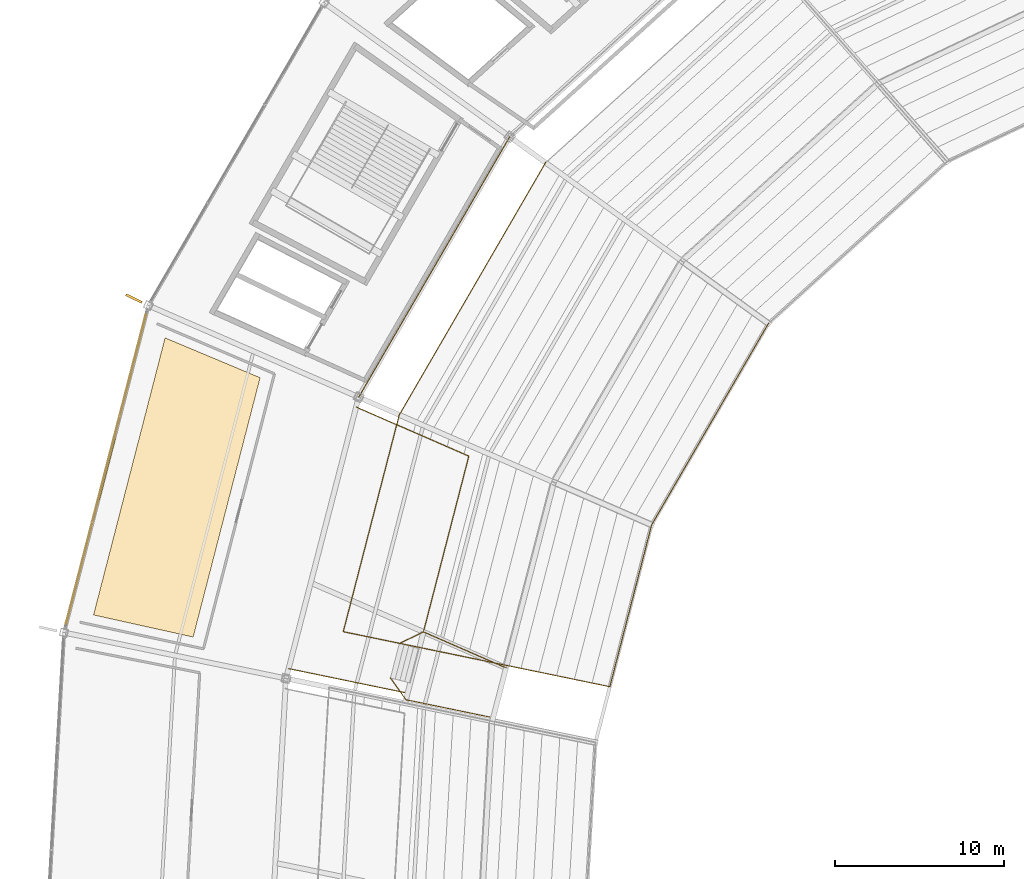
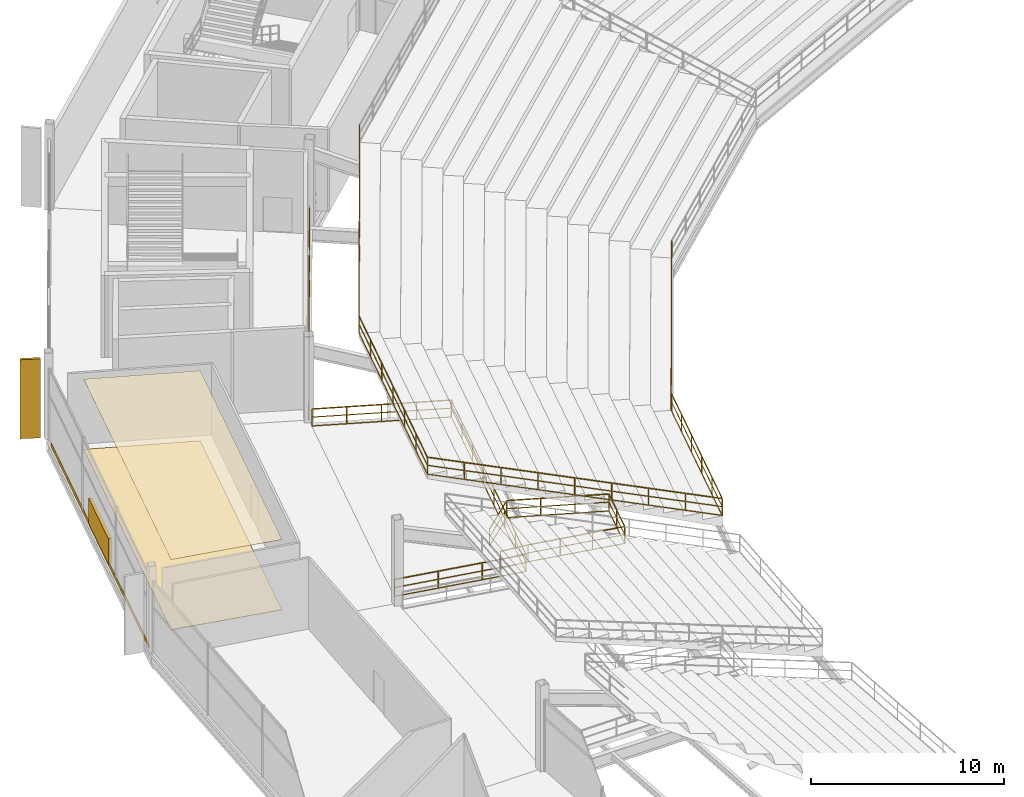
# One storey, part 175 of 186: 8 railings, 3 coverings, 2 shading devices.
"""IFC4 building model written with IfcOpenShell, lengths in metres."""

from ifc_helpers import new_model, si_unit, direction, frame, origin, origin_2d, place, context, subcontext, project, spatial, polyline, rectangle, outline, extrude, material, layer, layer_set, type_object, element, save


model = new_model("IFC4")

# Units and contexts
model_context = context("Model", 3, precision=1e-05, world=origin(), true_north=direction((0.0, 1.0)))
body_context = subcontext(model_context, "Body", "Model", "MODEL_VIEW")
ifc_project = project(units=[si_unit("LENGTHUNIT", "METRE"), si_unit("AREAUNIT", "SQUARE_METRE"), si_unit("VOLUMEUNIT", "CUBIC_METRE"), si_unit("PLANEANGLEUNIT", "RADIAN"), si_unit("MASSUNIT", "GRAM", prefix="KILO")], contexts=[model_context])

# Site, building, storey
site_placement = place(None, origin())
site = spatial("IfcSite", under=ifc_project, at=site_placement, CompositionType="ELEMENT")
building_placement = place(site_placement, origin())
building = spatial("IfcBuilding", under=site, at=building_placement, Name="Kazemori Nagisa Stadium", CompositionType="ELEMENT")
storey_placement = place(building_placement, frame((0.0, 0.0, 20.39990234375)))
storey = spatial("IfcBuildingStorey", under=building, at=storey_placement, Name="L04", CompositionType="ELEMENT", Elevation=20.39990234375)

# Coverings
ifc_material_1 = material(Name="Mineral-fibre acoustic board", Category="gypsum")
ifc_layer_1 = layer(ifc_material_1, 0.02001953125, Name="Mineral-fibre acoustic board", Category="gypsum")
ifc_layer_set_1 = layer_set([ifc_layer_1], Name="Mineral-fibre acoustic board")
covering_type_1 = type_object("IfcCoveringType", Name="Cov_CEIL", PredefinedType="CEILING", material=ifc_layer_set_1)
covering_1_placement = place(storey_placement, frame((0.0, 0.0, 4.4501953125)))
element("IfcCovering", 1, at=covering_1_placement, inside=storey, type_object=covering_type_1, Name="Acoustic ceiling L04-B13", PredefinedType="CEILING", context=body_context, shape_type="SweptSolid", body=[
    extrude(outline(polyline([(40.7255859375, 136.47802734375), (36.764404296875, 121.133544921875), (30.871826171875, 122.44091796875), (35.103759765625, 138.833984375), (40.7255859375, 136.47802734375)])), origin(), (0.0, 0.0, 1.0), 0.02001953125),
])
ifc_material_2 = material(Name="Porcelain stoneware tile", Category="masonry")
ifc_layer_2 = layer(ifc_material_2, 0.02490234375, Name="Porcelain stoneware tile", Category="masonry")
ifc_layer_set_2 = layer_set([ifc_layer_2], Name="Porcelain stoneware tile")
covering_type_2 = type_object("IfcCoveringType", Name="Cov_FLOOR", PredefinedType="FLOORING", material=ifc_layer_set_2)
covering_2_placement = place(storey_placement, origin())
element("IfcCovering", 2, at=covering_2_placement, inside=storey, type_object=covering_type_2, Name="Porcelain floor finish L04-B13", PredefinedType="FLOORING", context=body_context, shape_type="SweptSolid", body=[
    extrude(outline(polyline([(40.7255859375, 136.47802734375), (36.764404296875, 121.133544921875), (30.871826171875, 122.44091796875), (35.103759765625, 138.833984375), (40.7255859375, 136.47802734375)])), origin(), (0.0, 0.0, 1.0), 0.025146484375),
])
ifc_material_3 = material(Name="Anodised aluminium 6063-T5", Category="aluminium")
ifc_layer_3 = layer(ifc_material_3, 0.034912109375, Name="Anodised aluminium 6063-T5", Category="aluminium")
ifc_layer_set_3 = layer_set([ifc_layer_3], Name="Anodised aluminium 6063-T5")
covering_type_3 = type_object("IfcCoveringType", Name="Covering_CLAD", PredefinedType="CLADDING", material=ifc_layer_set_3)
covering_3_placement = place(storey_placement, frame((31.6171875, 131.07373046875, -0.259765625), z_axis=(0.0, 0.0, 1.0), x_axis=(-0.249964642418, -0.968254965152, 0.0)))
element("IfcCovering", 3, at=covering_3_placement, inside=storey, type_object=covering_type_3, Name="Anodised fascia cladding L04-B13", PredefinedType="CLADDING", context=body_context, shape_type="SweptSolid", body=[
    extrude(rectangle(XDim=18.88623046875, YDim=0.0400390625, at=origin_2d()), origin(), (0.0, 0.0, 1.0), 0.260009765625),
])

# Shading devices
ifc_material_4 = material(Name="Aluminium 6063-T5 anodised", Category="aluminium")
shading_device_type_1 = type_object("IfcShadingDeviceType", Name="Fin_FN03", PredefinedType="USERDEFINED", material=ifc_material_4)
shading_device_1_placement = place(storey_placement, frame((33.254638671875, 141.163818359375, 0.0), z_axis=(0.0, 0.0, 1.0), x_axis=(-0.900968867905, 0.433883739113, 0.0)))
element("IfcShadingDevice", 4, at=shading_device_1_placement, inside=storey, type_object=shading_device_type_1, Name="Aerodynamic wave shading fin L04-13", ObjectType="FIN", PredefinedType="USERDEFINED", context=body_context, shape_type="SweptSolid", body=[
    extrude(rectangle(XDim=1.050048828125, YDim=0.139892578125, at=origin_2d()), origin(), (0.0, 0.0, 1.0), 5.0),
])
shading_device_type_2 = type_object("IfcShadingDeviceType", Name="Louvre_LV02", PredefinedType="JALOUSIE", material=ifc_material_4)
shading_device_2_placement = place(storey_placement, frame((31.6171875, 131.07373046875, -0.010009765625), z_axis=(0.0, 0.0, 1.0), x_axis=(-0.249964642418, -0.968254965152, 0.0)))
element("IfcShadingDevice", 5, at=shading_device_2_placement, inside=storey, type_object=shading_device_type_2, Name="Concourse ventilation louvre L04-B13", PredefinedType="JALOUSIE", context=body_context, shape_type="SweptSolid", body=[
    extrude(rectangle(XDim=3.800048828125, YDim=0.179931640625, at=origin_2d()), origin(), (0.0, 0.0, 1.0), 1.60009765625),
])

# Railings
ifc_material_5 = material(Name="Laminated safety glass and stainless steel SUS304", Category="steel")
railing_type_1 = type_object("IfcRailingType", Name="Rail_BAL", PredefinedType="BALUSTRADE", material=ifc_material_5)
railing_1_placement = place(storey_placement, frame((55.493896484375, 150.734130859375, 0.0)))
element("IfcRailing", 6, at=railing_1_placement, inside=storey, type_object=railing_type_1, Name="Upper concourse balustrade L04-B12", PredefinedType="BALUSTRADE", context=body_context, shape_type="SweptSolid", body=[
    extrude(rectangle(XDim=0.050048828125, YDim=0.050048828125, at=origin_2d()), frame((0.0, 0.0, 1.09521484375), z_axis=(-0.501606704589, -0.865095783085, 0.0), x_axis=(0.865095783085, -0.501606704589, 0.0)), (0.0, 0.0, 1.0), 17.8125),
    extrude(rectangle(XDim=0.03759765625, YDim=0.03759765625, at=origin_2d()), frame((0.0, 0.0, 0.58251953125), z_axis=(-0.501606704589, -0.865095783085, 0.0), x_axis=(0.865095783085, -0.501606704589, 0.0)), (0.0, 0.0, 1.0), 17.8125),
    extrude(rectangle(XDim=0.03759765625, YDim=0.03759765625, at=origin_2d()), frame((0.0, 0.0, 0.02490234375), z_axis=(-0.501606704589, -0.865095783085, 0.0), x_axis=(0.865095783085, -0.501606704589, 0.0)), (0.0, 0.0, 1.0), 17.8125),
    extrude(rectangle(XDim=0.044921875, YDim=0.044921875, at=origin_2d()), origin(), (0.0, 0.0, 1.0), 1.070068359375),
    extrude(rectangle(XDim=0.044921875, YDim=0.044921875, at=origin_2d()), frame((-1.116943359375, -1.92626953125, 0.0)), (0.0, 0.0, 1.0), 1.070068359375),
    extrude(rectangle(XDim=0.044921875, YDim=0.044921875, at=origin_2d()), frame((-2.233642578125, -3.852294921875, 0.0)), (0.0, 0.0, 1.0), 1.070068359375),
    extrude(rectangle(XDim=0.044921875, YDim=0.044921875, at=origin_2d()), frame((-3.3505859375, -5.778564453125, 0.0)), (0.0, 0.0, 1.0), 1.070068359375),
    extrude(rectangle(XDim=0.044921875, YDim=0.044921875, at=origin_2d()), frame((-4.46728515625, -7.70458984375, 0.0)), (0.0, 0.0, 1.0), 1.070068359375),
    extrude(rectangle(XDim=0.044921875, YDim=0.044921875, at=origin_2d()), frame((-5.584228515625, -9.630859375, 0.0)), (0.0, 0.0, 1.0), 1.070068359375),
    extrude(rectangle(XDim=0.044921875, YDim=0.044921875, at=origin_2d()), frame((-6.701171875, -11.55712890625, 0.0)), (0.0, 0.0, 1.0), 1.070068359375),
    extrude(rectangle(XDim=0.044921875, YDim=0.044921875, at=origin_2d()), frame((-7.81787109375, -13.483154296875, 0.0)), (0.0, 0.0, 1.0), 1.070068359375),
    extrude(rectangle(XDim=0.044921875, YDim=0.044921875, at=origin_2d()), frame((-8.934814453125, -15.409423828125, 0.0)), (0.0, 0.0, 1.0), 1.070068359375),
])
railing_2_placement = place(storey_placement, frame((46.408935546875, 134.74365234375, 0.0)))
element("IfcRailing", 7, at=railing_2_placement, inside=storey, type_object=railing_type_1, Name="Upper vomitory lobby balustrade B13", PredefinedType="BALUSTRADE", context=body_context, shape_type="SweptSolid", body=[
    extrude(rectangle(XDim=0.050048828125, YDim=0.050048828125, at=origin_2d()), frame((0.0, 0.0, 1.09521484375), z_axis=(0.916678937459, -0.399624480756, 0.0), x_axis=(0.399624480756, 0.916678937459, 0.0)), (0.0, 0.0, 1.0), 7.2724609375),
    extrude(rectangle(XDim=0.03759765625, YDim=0.03759765625, at=origin_2d()), frame((0.0, 0.0, 0.58251953125), z_axis=(0.916678937459, -0.399624480756, 0.0), x_axis=(0.399624480756, 0.916678937459, 0.0)), (0.0, 0.0, 1.0), 7.2724609375),
    extrude(rectangle(XDim=0.03759765625, YDim=0.03759765625, at=origin_2d()), frame((0.0, 0.0, 0.02490234375), z_axis=(0.916678937459, -0.399624480756, 0.0), x_axis=(0.399624480756, 0.916678937459, 0.0)), (0.0, 0.0, 1.0), 7.2724609375),
    extrude(rectangle(XDim=0.050048828125, YDim=0.050048828125, at=origin_2d()), frame((6.66650390625, -2.90625, 1.09521484375), z_axis=(-0.249966179214, -0.968254568411, 0.0), x_axis=(0.968254568411, -0.249966179214, 0.0)), (0.0, 0.0, 1.0), 14.4892578125),
    extrude(rectangle(XDim=0.03759765625, YDim=0.03759765625, at=origin_2d()), frame((6.66650390625, -2.90625, 0.58251953125), z_axis=(-0.249966179214, -0.968254568411, 0.0), x_axis=(0.968254568411, -0.249966179214, 0.0)), (0.0, 0.0, 1.0), 14.4892578125),
    extrude(rectangle(XDim=0.03759765625, YDim=0.03759765625, at=origin_2d()), frame((6.66650390625, -2.90625, 0.02490234375), z_axis=(-0.249966179214, -0.968254568411, 0.0), x_axis=(0.968254568411, -0.249966179214, 0.0)), (0.0, 0.0, 1.0), 14.4892578125),
    extrude(rectangle(XDim=0.050048828125, YDim=0.050048828125, at=origin_2d()), frame((3.044677734375, -16.935546875, 1.09521484375), z_axis=(-0.979313585997, 0.202348462516, 0.0), x_axis=(-0.202348462516, -0.979313585997, 0.0)), (0.0, 0.0, 1.0), 7.189697265625),
    extrude(rectangle(XDim=0.03759765625, YDim=0.03759765625, at=origin_2d()), frame((3.044677734375, -16.935546875, 0.58251953125), z_axis=(-0.979313585997, 0.202348462516, 0.0), x_axis=(-0.202348462516, -0.979313585997, 0.0)), (0.0, 0.0, 1.0), 7.189697265625),
    extrude(rectangle(XDim=0.03759765625, YDim=0.03759765625, at=origin_2d()), frame((3.044677734375, -16.935546875, 0.02490234375), z_axis=(-0.979313585997, 0.202348462516, 0.0), x_axis=(-0.202348462516, -0.979313585997, 0.0)), (0.0, 0.0, 1.0), 7.189697265625),
    extrude(rectangle(XDim=0.044921875, YDim=0.044921875, at=origin_2d()), origin(), (0.0, 0.0, 1.0), 1.070068359375),
    extrude(rectangle(XDim=0.044921875, YDim=0.044921875, at=origin_2d()), frame((1.66650390625, -0.7265625, 0.0)), (0.0, 0.0, 1.0), 1.070068359375),
    extrude(rectangle(XDim=0.044921875, YDim=0.044921875, at=origin_2d()), frame((3.333251953125, -1.453125, 0.0)), (0.0, 0.0, 1.0), 1.070068359375),
    extrude(rectangle(XDim=0.044921875, YDim=0.044921875, at=origin_2d()), frame((5.0, -2.1796875, 0.0)), (0.0, 0.0, 1.0), 1.070068359375),
    extrude(rectangle(XDim=0.044921875, YDim=0.044921875, at=origin_2d()), frame((6.66650390625, -2.90625, 0.0)), (0.0, 0.0, 1.0), 1.070068359375),
    extrude(rectangle(XDim=0.044921875, YDim=0.044921875, at=origin_2d()), frame((6.149169921875, -4.910400390625, 0.0)), (0.0, 0.0, 1.0), 1.070068359375),
    extrude(rectangle(XDim=0.044921875, YDim=0.044921875, at=origin_2d()), frame((5.631591796875, -6.91455078125, 0.0)), (0.0, 0.0, 1.0), 1.070068359375),
    extrude(rectangle(XDim=0.044921875, YDim=0.044921875, at=origin_2d()), frame((5.1142578125, -8.918701171875, 0.0)), (0.0, 0.0, 1.0), 1.070068359375),
    extrude(rectangle(XDim=0.044921875, YDim=0.044921875, at=origin_2d()), frame((4.596923828125, -10.923095703125, 0.0)), (0.0, 0.0, 1.0), 1.070068359375),
    extrude(rectangle(XDim=0.044921875, YDim=0.044921875, at=origin_2d()), frame((4.07958984375, -12.92724609375, 0.0)), (0.0, 0.0, 1.0), 1.070068359375),
    extrude(rectangle(XDim=0.044921875, YDim=0.044921875, at=origin_2d()), frame((3.56201171875, -14.931396484375, 0.0)), (0.0, 0.0, 1.0), 1.070068359375),
    extrude(rectangle(XDim=0.044921875, YDim=0.044921875, at=origin_2d()), frame((3.044677734375, -16.935546875, 0.0)), (0.0, 0.0, 1.0), 1.070068359375),
    extrude(rectangle(XDim=0.044921875, YDim=0.044921875, at=origin_2d()), frame((0.69775390625, -16.45068359375, 0.0)), (0.0, 0.0, 1.0), 1.070068359375),
    extrude(rectangle(XDim=0.044921875, YDim=0.044921875, at=origin_2d()), frame((-1.6494140625, -15.965576171875, 0.0)), (0.0, 0.0, 1.0), 1.070068359375),
    extrude(rectangle(XDim=0.044921875, YDim=0.044921875, at=origin_2d()), frame((-3.996337890625, -15.480712890625, 0.0)), (0.0, 0.0, 1.0), 1.070068359375),
])
ifc_material_6 = material(Name="Galvanised powder-coated steel", Category="steel")
railing_type_2 = type_object("IfcRailingType", Name="Rail_GUARD", PredefinedType="GUARDRAIL", material=ifc_material_6)
railing_3_placement = place(storey_placement, frame((48.963134765625, 120.748779296875, 0.0)))
element("IfcRailing", 8, at=railing_3_placement, inside=storey, type_object=railing_type_2, Name="Vomitory upper portal guard VU05", PredefinedType="GUARDRAIL", context=body_context, shape_type="SweptSolid", body=[
    extrude(rectangle(XDim=0.050048828125, YDim=0.050048828125, at=origin_2d()), frame((0.0, 0.0, 1.09521484375), z_axis=(0.787236073765, 0.380356064372, 0.485374729934), x_axis=(-0.435037581085, 0.900412296142, 0.0)), (0.0, 0.0, 1.0), 1.813232421875),
    extrude(rectangle(XDim=0.03759765625, YDim=0.03759765625, at=origin_2d()), frame((0.0, 0.0, 0.58251953125), z_axis=(0.787236073765, 0.380356064372, 0.485374729934), x_axis=(-0.435037581085, 0.900412296142, 0.0)), (0.0, 0.0, 1.0), 1.813232421875),
    extrude(rectangle(XDim=0.03759765625, YDim=0.03759765625, at=origin_2d()), frame((0.0, 0.0, 0.02490234375), z_axis=(0.787236073765, 0.380356064372, 0.485374729934), x_axis=(-0.435037581085, 0.900412296142, 0.0)), (0.0, 0.0, 1.0), 1.813232421875),
    extrude(rectangle(XDim=0.050048828125, YDim=0.050048828125, at=origin_2d()), frame((1.427490234375, 0.689697265625, 1.97509765625), z_axis=(0.916669304894, -0.399646575695, 0.0), x_axis=(0.399646575695, 0.916669304894, 0.0)), (0.0, 0.0, 1.0), 5.3330078125),
    extrude(rectangle(XDim=0.03759765625, YDim=0.03759765625, at=origin_2d()), frame((1.427490234375, 0.689697265625, 1.462646484375), z_axis=(0.916669304894, -0.399646575695, 0.0), x_axis=(0.399646575695, 0.916669304894, 0.0)), (0.0, 0.0, 1.0), 5.3330078125),
    extrude(rectangle(XDim=0.03759765625, YDim=0.03759765625, at=origin_2d()), frame((1.427490234375, 0.689697265625, 0.9052734375), z_axis=(0.916669304894, -0.399646575695, 0.0), x_axis=(0.399646575695, 0.916669304894, 0.0)), (0.0, 0.0, 1.0), 5.3330078125),
    extrude(rectangle(XDim=0.050048828125, YDim=0.050048828125, at=origin_2d()), frame((6.316162109375, -1.441650390625, 1.97509765625), z_axis=(-0.249911912642, -0.968268576336, 0.0), x_axis=(0.968268576336, -0.249911912642, 0.0)), (0.0, 0.0, 1.0), 3.0498046875),
    extrude(rectangle(XDim=0.03759765625, YDim=0.03759765625, at=origin_2d()), frame((6.316162109375, -1.441650390625, 1.462646484375), z_axis=(-0.249911912642, -0.968268576336, 0.0), x_axis=(0.968268576336, -0.249911912642, 0.0)), (0.0, 0.0, 1.0), 3.0498046875),
    extrude(rectangle(XDim=0.03759765625, YDim=0.03759765625, at=origin_2d()), frame((6.316162109375, -1.441650390625, 0.9052734375), z_axis=(-0.249911912642, -0.968268576336, 0.0), x_axis=(0.968268576336, -0.249911912642, 0.0)), (0.0, 0.0, 1.0), 3.0498046875),
    extrude(rectangle(XDim=0.050048828125, YDim=0.050048828125, at=origin_2d()), frame((5.553955078125, -4.394775390625, 1.97509765625), z_axis=(-0.979314238208, 0.202345305956, 0.0), x_axis=(-0.202345305956, -0.979314238208, 0.0)), (0.0, 0.0, 1.0), 5.272705078125),
    extrude(rectangle(XDim=0.03759765625, YDim=0.03759765625, at=origin_2d()), frame((5.553955078125, -4.394775390625, 1.462646484375), z_axis=(-0.979314238208, 0.202345305956, 0.0), x_axis=(-0.202345305956, -0.979314238208, 0.0)), (0.0, 0.0, 1.0), 5.272705078125),
    extrude(rectangle(XDim=0.03759765625, YDim=0.03759765625, at=origin_2d()), frame((5.553955078125, -4.394775390625, 0.9052734375), z_axis=(-0.979314238208, 0.202345305956, 0.0), x_axis=(-0.202345305956, -0.979314238208, 0.0)), (0.0, 0.0, 1.0), 5.272705078125),
    extrude(rectangle(XDim=0.050048828125, YDim=0.050048828125, at=origin_2d()), frame((0.390380859375, -3.327880859375, 1.97509765625), z_axis=(-0.504871484815, 0.71382096333, -0.485349787402), x_axis=(-0.816429804439, -0.577444693822, 0.0)), (0.0, 0.0, 1.0), 1.8134765625),
    extrude(rectangle(XDim=0.03759765625, YDim=0.03759765625, at=origin_2d()), frame((0.390380859375, -3.327880859375, 1.462646484375), z_axis=(-0.504871484815, 0.71382096333, -0.485349787402), x_axis=(-0.816429804439, -0.577444693822, 0.0)), (0.0, 0.0, 1.0), 1.8134765625),
    extrude(rectangle(XDim=0.03759765625, YDim=0.03759765625, at=origin_2d()), frame((0.390380859375, -3.327880859375, 0.9052734375), z_axis=(-0.504871484815, 0.71382096333, -0.485349787402), x_axis=(-0.816429804439, -0.577444693822, 0.0)), (0.0, 0.0, 1.0), 1.8134765625),
    extrude(rectangle(XDim=0.044921875, YDim=0.044921875, at=origin_2d()), origin(), (0.0, 0.0, 1.0), 1.070068359375),
    extrude(rectangle(XDim=0.044921875, YDim=0.044921875, at=origin_2d()), frame((1.427490234375, 0.689697265625, 0.880126953125)), (0.0, 0.0, 1.0), 1.070068359375),
    extrude(rectangle(XDim=0.044921875, YDim=0.044921875, at=origin_2d()), frame((3.05712890625, -0.020751953125, 0.880126953125)), (0.0, 0.0, 1.0), 1.070068359375),
    extrude(rectangle(XDim=0.044921875, YDim=0.044921875, at=origin_2d()), frame((4.6865234375, -0.731201171875, 0.880126953125)), (0.0, 0.0, 1.0), 1.070068359375),
    extrude(rectangle(XDim=0.044921875, YDim=0.044921875, at=origin_2d()), frame((6.316162109375, -1.441650390625, 0.880126953125)), (0.0, 0.0, 1.0), 1.070068359375),
    extrude(rectangle(XDim=0.044921875, YDim=0.044921875, at=origin_2d()), frame((5.93505859375, -2.918212890625, 0.880126953125)), (0.0, 0.0, 1.0), 1.070068359375),
    extrude(rectangle(XDim=0.044921875, YDim=0.044921875, at=origin_2d()), frame((5.553955078125, -4.394775390625, 0.880126953125)), (0.0, 0.0, 1.0), 1.070068359375),
    extrude(rectangle(XDim=0.044921875, YDim=0.044921875, at=origin_2d()), frame((3.832763671875, -4.0390625, 0.880126953125)), (0.0, 0.0, 1.0), 1.070068359375),
    extrude(rectangle(XDim=0.044921875, YDim=0.044921875, at=origin_2d()), frame((2.111572265625, -3.68359375, 0.880126953125)), (0.0, 0.0, 1.0), 1.070068359375),
    extrude(rectangle(XDim=0.044921875, YDim=0.044921875, at=origin_2d()), frame((0.390380859375, -3.327880859375, 0.880126953125)), (0.0, 0.0, 1.0), 1.070068359375),
    extrude(rectangle(XDim=0.044921875, YDim=0.044921875, at=origin_2d()), frame((-0.525146484375, -2.033447265625, 0.0)), (0.0, 0.0, 1.0), 1.070068359375),
])
railing_4_placement = place(storey_placement, frame((70.800537109375, 139.68408203125, -0.8798828125)))
element("IfcRailing", 9, at=railing_4_placement, inside=storey, type_object=railing_type_2, Name="Upper tier front crowd barrier B12", PredefinedType="GUARDRAIL", context=body_context, shape_type="SweptSolid", body=[
    extrude(rectangle(XDim=0.050048828125, YDim=0.050048828125, at=origin_2d()), frame((0.0, 0.0, 1.09521484375), z_axis=(-0.501605611908, -0.865096416651, 0.0), x_axis=(0.865096416651, -0.501605611908, 0.0)), (0.0, 0.0, 1.0), 13.773681640625),
    extrude(rectangle(XDim=0.03759765625, YDim=0.03759765625, at=origin_2d()), frame((0.0, 0.0, 0.58251953125), z_axis=(-0.501605611908, -0.865096416651, 0.0), x_axis=(0.865096416651, -0.501605611908, 0.0)), (0.0, 0.0, 1.0), 13.773681640625),
    extrude(rectangle(XDim=0.03759765625, YDim=0.03759765625, at=origin_2d()), frame((0.0, 0.0, 0.02490234375), z_axis=(-0.501605611908, -0.865096416651, 0.0), x_axis=(0.865096416651, -0.501605611908, 0.0)), (0.0, 0.0, 1.0), 13.773681640625),
    extrude(rectangle(XDim=0.044921875, YDim=0.044921875, at=origin_2d()), origin(), (0.0, 0.0, 1.0), 1.070068359375),
    extrude(rectangle(XDim=0.044921875, YDim=0.044921875, at=origin_2d()), frame((-1.1513671875, -1.98583984375, 0.0)), (0.0, 0.0, 1.0), 1.070068359375),
    extrude(rectangle(XDim=0.044921875, YDim=0.044921875, at=origin_2d()), frame((-2.302978515625, -3.971923828125, 0.0)), (0.0, 0.0, 1.0), 1.070068359375),
    extrude(rectangle(XDim=0.044921875, YDim=0.044921875, at=origin_2d()), frame((-3.45458984375, -5.957763671875, 0.0)), (0.0, 0.0, 1.0), 1.070068359375),
    extrude(rectangle(XDim=0.044921875, YDim=0.044921875, at=origin_2d()), frame((-4.60595703125, -7.943603515625, 0.0)), (0.0, 0.0, 1.0), 1.070068359375),
    extrude(rectangle(XDim=0.044921875, YDim=0.044921875, at=origin_2d()), frame((-5.75732421875, -9.9296875, 0.0)), (0.0, 0.0, 1.0), 1.070068359375),
    extrude(rectangle(XDim=0.044921875, YDim=0.044921875, at=origin_2d()), frame((-6.908935546875, -11.91552734375, 0.0)), (0.0, 0.0, 1.0), 1.070068359375),
])
railing_5_placement = place(storey_placement, frame((57.61328125, 149.2041015625, 5.280029296875)))
element("IfcRailing", 10, at=railing_5_placement, inside=storey, type_object=railing_type_2, Name="Upper tier rear guard B12", PredefinedType="GUARDRAIL", context=body_context, shape_type="SweptSolid", body=[
    extrude(rectangle(XDim=0.050048828125, YDim=0.050048828125, at=origin_2d()), frame((0.0, 0.0, 1.09521484375), z_axis=(-0.501613473097, -0.86509185848, 0.0), x_axis=(0.86509185848, -0.501613473097, 0.0)), (0.0, 0.0, 1.0), 17.25341796875),
    extrude(rectangle(XDim=0.03759765625, YDim=0.03759765625, at=origin_2d()), frame((0.0, 0.0, 0.58251953125), z_axis=(-0.501613473097, -0.86509185848, 0.0), x_axis=(0.86509185848, -0.501613473097, 0.0)), (0.0, 0.0, 1.0), 17.25341796875),
    extrude(rectangle(XDim=0.03759765625, YDim=0.03759765625, at=origin_2d()), frame((0.0, 0.0, 0.02490234375), z_axis=(-0.501613473097, -0.86509185848, 0.0), x_axis=(0.86509185848, -0.501613473097, 0.0)), (0.0, 0.0, 1.0), 17.25341796875),
    extrude(rectangle(XDim=0.044921875, YDim=0.044921875, at=origin_2d()), origin(), (0.0, 0.0, 1.0), 1.070068359375),
    extrude(rectangle(XDim=0.044921875, YDim=0.044921875, at=origin_2d()), frame((-1.081787109375, -1.86572265625, 0.0)), (0.0, 0.0, 1.0), 1.070068359375),
    extrude(rectangle(XDim=0.044921875, YDim=0.044921875, at=origin_2d()), frame((-2.16357421875, -3.7314453125, 0.0)), (0.0, 0.0, 1.0), 1.070068359375),
    extrude(rectangle(XDim=0.044921875, YDim=0.044921875, at=origin_2d()), frame((-3.245361328125, -5.59716796875, 0.0)), (0.0, 0.0, 1.0), 1.070068359375),
    extrude(rectangle(XDim=0.044921875, YDim=0.044921875, at=origin_2d()), frame((-4.3271484375, -7.462890625, 0.0)), (0.0, 0.0, 1.0), 1.070068359375),
    extrude(rectangle(XDim=0.044921875, YDim=0.044921875, at=origin_2d()), frame((-5.4091796875, -9.32861328125, 0.0)), (0.0, 0.0, 1.0), 1.070068359375),
    extrude(rectangle(XDim=0.044921875, YDim=0.044921875, at=origin_2d()), frame((-6.490966796875, -11.1943359375, 0.0)), (0.0, 0.0, 1.0), 1.070068359375),
    extrude(rectangle(XDim=0.044921875, YDim=0.044921875, at=origin_2d()), frame((-7.57275390625, -13.06005859375, 0.0)), (0.0, 0.0, 1.0), 1.070068359375),
    extrude(rectangle(XDim=0.044921875, YDim=0.044921875, at=origin_2d()), frame((-8.654541015625, -14.92578125, 0.0)), (0.0, 0.0, 1.0), 1.070068359375),
])
railing_6_placement = place(storey_placement, frame((63.8916015625, 127.7685546875, -0.8798828125)))
element("IfcRailing", 11, at=railing_6_placement, inside=storey, type_object=railing_type_2, Name="Upper tier front crowd barrier B13", PredefinedType="GUARDRAIL", context=body_context, shape_type="SweptSolid", body=[
    extrude(rectangle(XDim=0.050048828125, YDim=0.050048828125, at=origin_2d()), frame((0.0, 0.0, 1.09521484375), z_axis=(-0.249968346977, -0.968254008775, 0.0), x_axis=(0.968254008775, -0.249968346977, 0.0)), (0.0, 0.0, 1.0), 9.890869140625),
    extrude(rectangle(XDim=0.03759765625, YDim=0.03759765625, at=origin_2d()), frame((0.0, 0.0, 0.58251953125), z_axis=(-0.249968346977, -0.968254008775, 0.0), x_axis=(0.968254008775, -0.249968346977, 0.0)), (0.0, 0.0, 1.0), 9.890869140625),
    extrude(rectangle(XDim=0.03759765625, YDim=0.03759765625, at=origin_2d()), frame((0.0, 0.0, 0.02490234375), z_axis=(-0.249968346977, -0.968254008775, 0.0), x_axis=(0.968254008775, -0.249968346977, 0.0)), (0.0, 0.0, 1.0), 9.890869140625),
    extrude(rectangle(XDim=0.044921875, YDim=0.044921875, at=origin_2d()), origin(), (0.0, 0.0, 1.0), 1.070068359375),
    extrude(rectangle(XDim=0.044921875, YDim=0.044921875, at=origin_2d()), frame((-0.494384765625, -1.915283203125, 0.0)), (0.0, 0.0, 1.0), 1.070068359375),
    extrude(rectangle(XDim=0.044921875, YDim=0.044921875, at=origin_2d()), frame((-0.989013671875, -3.830810546875, 0.0)), (0.0, 0.0, 1.0), 1.070068359375),
    extrude(rectangle(XDim=0.044921875, YDim=0.044921875, at=origin_2d()), frame((-1.4833984375, -5.74609375, 0.0)), (0.0, 0.0, 1.0), 1.070068359375),
    extrude(rectangle(XDim=0.044921875, YDim=0.044921875, at=origin_2d()), frame((-1.97802734375, -7.66162109375, 0.0)), (0.0, 0.0, 1.0), 1.070068359375),
    extrude(rectangle(XDim=0.044921875, YDim=0.044921875, at=origin_2d()), frame((-2.472412109375, -9.576904296875, 0.0)), (0.0, 0.0, 1.0), 1.070068359375),
])
railing_7_placement = place(storey_placement, frame((48.958740234375, 134.2783203125, 5.280029296875)))
element("IfcRailing", 12, at=railing_7_placement, inside=storey, type_object=railing_type_2, Name="Upper tier rear guard B13", PredefinedType="GUARDRAIL", context=body_context, shape_type="SweptSolid", body=[
    extrude(rectangle(XDim=0.050048828125, YDim=0.050048828125, at=origin_2d()), frame((0.0, 0.0, 1.09521484375), z_axis=(-0.249956044639, -0.968257184713, 0.0), x_axis=(0.968257184713, -0.249956044639, 0.0)), (0.0, 0.0, 1.0), 13.24853515625),
    extrude(rectangle(XDim=0.03759765625, YDim=0.03759765625, at=origin_2d()), frame((0.0, 0.0, 0.58251953125), z_axis=(-0.249956044639, -0.968257184713, 0.0), x_axis=(0.968257184713, -0.249956044639, 0.0)), (0.0, 0.0, 1.0), 13.24853515625),
    extrude(rectangle(XDim=0.03759765625, YDim=0.03759765625, at=origin_2d()), frame((0.0, 0.0, 0.02490234375), z_axis=(-0.249956044639, -0.968257184713, 0.0), x_axis=(0.968257184713, -0.249956044639, 0.0)), (0.0, 0.0, 1.0), 13.24853515625),
    extrude(rectangle(XDim=0.044921875, YDim=0.044921875, at=origin_2d()), origin(), (0.0, 0.0, 1.0), 1.070068359375),
    extrude(rectangle(XDim=0.044921875, YDim=0.044921875, at=origin_2d()), frame((-0.552001953125, -2.137939453125, 0.0)), (0.0, 0.0, 1.0), 1.070068359375),
    extrude(rectangle(XDim=0.044921875, YDim=0.044921875, at=origin_2d()), frame((-1.103759765625, -4.27587890625, 0.0)), (0.0, 0.0, 1.0), 1.070068359375),
    extrude(rectangle(XDim=0.044921875, YDim=0.044921875, at=origin_2d()), frame((-1.65576171875, -6.4140625, 0.0)), (0.0, 0.0, 1.0), 1.070068359375),
    extrude(rectangle(XDim=0.044921875, YDim=0.044921875, at=origin_2d()), frame((-2.207763671875, -8.552001953125, 0.0)), (0.0, 0.0, 1.0), 1.070068359375),
    extrude(rectangle(XDim=0.044921875, YDim=0.044921875, at=origin_2d()), frame((-2.759521484375, -10.68994140625, 0.0)), (0.0, 0.0, 1.0), 1.070068359375),
    extrude(rectangle(XDim=0.044921875, YDim=0.044921875, at=origin_2d()), frame((-3.3115234375, -12.827880859375, 0.0)), (0.0, 0.0, 1.0), 1.070068359375),
])
railing_8_placement = place(storey_placement, frame((61.419189453125, 118.191650390625, -0.8798828125)))
element("IfcRailing", 13, at=railing_8_placement, inside=storey, type_object=railing_type_2, Name="Upper tier radial step guard B13R", PredefinedType="GUARDRAIL", context=body_context, shape_type="SweptSolid", body=[
    extrude(rectangle(XDim=0.050048828125, YDim=0.050048828125, at=origin_2d()), frame((0.0, 0.0, 1.09521484375), z_axis=(-0.914691054761, 0.18899254201, 0.35724234548), x_axis=(-0.20234493476, -0.979314314905, 0.0)), (0.0, 0.0, 1.0), 17.242919921875),
    extrude(rectangle(XDim=0.03759765625, YDim=0.03759765625, at=origin_2d()), frame((0.0, 0.0, 0.58251953125), z_axis=(-0.914691054761, 0.18899254201, 0.35724234548), x_axis=(-0.20234493476, -0.979314314905, 0.0)), (0.0, 0.0, 1.0), 17.242919921875),
    extrude(rectangle(XDim=0.03759765625, YDim=0.03759765625, at=origin_2d()), frame((0.0, 0.0, 0.02490234375), z_axis=(-0.914691054761, 0.18899254201, 0.35724234548), x_axis=(-0.20234493476, -0.979314314905, 0.0)), (0.0, 0.0, 1.0), 17.242919921875),
    extrude(rectangle(XDim=0.044921875, YDim=0.044921875, at=origin_2d()), origin(), (0.0, 0.0, 1.0), 1.070068359375),
    extrude(rectangle(XDim=0.044921875, YDim=0.044921875, at=origin_2d()), frame((-1.971435546875, 0.4072265625, 0.77001953125)), (0.0, 0.0, 1.0), 1.070068359375),
    extrude(rectangle(XDim=0.044921875, YDim=0.044921875, at=origin_2d()), frame((-3.94287109375, 0.814697265625, 1.5400390625)), (0.0, 0.0, 1.0), 1.070068359375),
    extrude(rectangle(XDim=0.044921875, YDim=0.044921875, at=origin_2d()), frame((-5.91455078125, 1.22216796875, 2.31005859375)), (0.0, 0.0, 1.0), 1.070068359375),
    extrude(rectangle(XDim=0.044921875, YDim=0.044921875, at=origin_2d()), frame((-7.885986328125, 1.62939453125, 3.080078125)), (0.0, 0.0, 1.0), 1.070068359375),
    extrude(rectangle(XDim=0.044921875, YDim=0.044921875, at=origin_2d()), frame((-9.857421875, 2.03662109375, 3.849853515625)), (0.0, 0.0, 1.0), 1.070068359375),
    extrude(rectangle(XDim=0.044921875, YDim=0.044921875, at=origin_2d()), frame((-11.8291015625, 2.444091796875, 4.619873046875)), (0.0, 0.0, 1.0), 1.070068359375),
    extrude(rectangle(XDim=0.044921875, YDim=0.044921875, at=origin_2d()), frame((-13.800537109375, 2.8515625, 5.389892578125)), (0.0, 0.0, 1.0), 1.070068359375),
    extrude(rectangle(XDim=0.044921875, YDim=0.044921875, at=origin_2d()), frame((-15.77197265625, 3.2587890625, 6.159912109375)), (0.0, 0.0, 1.0), 1.070068359375),
])

save(model, "model.ifc")
